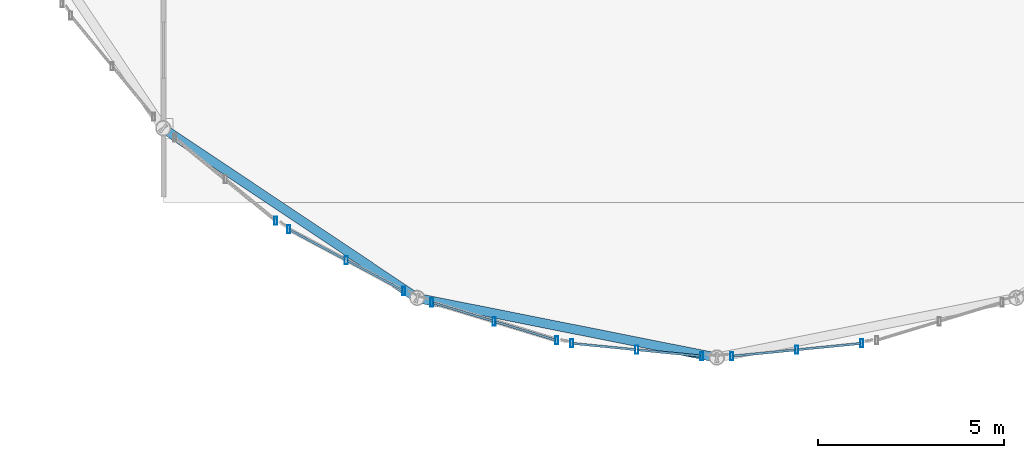
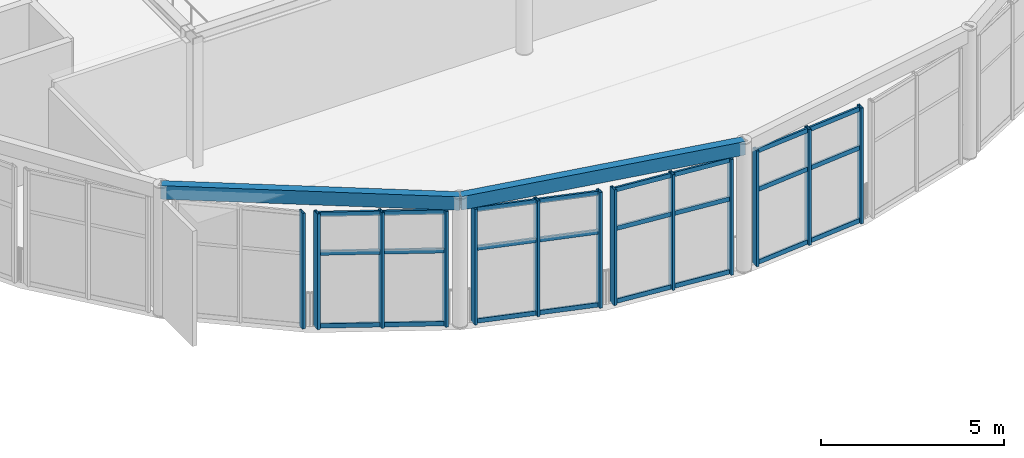
# One storey, part 17 of 105: 37 members, 2 beams, 5 elements without a shape of their own.
"""IFC4 building model written with IfcOpenShell, lengths in metres."""

from ifc_helpers import new_model, si_unit, direction, frame, origin, origin_2d, place, context, subcontext, project, spatial, hollow_rectangle, extrude, material, layer, layer_set, material_profile, profile_set, type_object, element, aggregate, save


model = new_model("IFC4")

# Units and contexts
model_context = context("Model", 3, precision=1e-05, world=origin(), true_north=direction((0.0, 1.0)))
body_context = subcontext(model_context, "Body", "Model", "MODEL_VIEW")
ifc_project = project(units=[si_unit("LENGTHUNIT", "METRE"), si_unit("AREAUNIT", "SQUARE_METRE"), si_unit("VOLUMEUNIT", "CUBIC_METRE"), si_unit("PLANEANGLEUNIT", "RADIAN"), si_unit("MASSUNIT", "GRAM", prefix="KILO")], contexts=[model_context])

# Site, building, storey
site_placement = place(None, origin())
site = spatial("IfcSite", under=ifc_project, at=site_placement, CompositionType="ELEMENT")
building_placement = place(site_placement, origin())
building = spatial("IfcBuilding", under=site, at=building_placement, Name="Marlcrest Central Station", CompositionType="ELEMENT")
storey_placement = place(building_placement, frame((0.0, 0.0, 15.0)))
storey = spatial("IfcBuildingStorey", under=building, at=storey_placement, Name="L03", CompositionType="ELEMENT", Elevation=15.0)

# Curtain wall, member
ifc_material_1 = material(Name="Anodised aluminium and hurricane laminated glass", Category="aluminium")
ifc_layer = layer(ifc_material_1, 0.219970703125, Name="CW-U1")
ifc_layer_set = layer_set([ifc_layer], Name="Anodised aluminium and hurricane laminated glass")
curtain_wall_type = type_object("IfcCurtainWallType", Name="CW-U1", PredefinedType="USERDEFINED", material=ifc_layer_set)
curtain_wall_1_placement = place(storey_placement, origin())
curtain_wall_1 = element("IfcCurtainWall", 1, at=curtain_wall_1_placement, inside=storey, type_object=curtain_wall_type, Name="cw-L03-0045", ObjectType="UNITISED_CURTAIN_WALL", PredefinedType="USERDEFINED")
ifc_material_2 = material(Name="Anodised aluminium 6063-T6", Category="aluminium")
ifc_material_profile_1 = material_profile(ifc_material_2, hollow_rectangle(XDim=0.080078125, YDim=0.219970703125, WallThickness=0.006103515625, at=origin_2d()), Name="AA-RHS 220x80x6")
ifc_profile_set_1 = profile_set([ifc_material_profile_1], Name="Anodised aluminium 6063-T6")
member_type_1 = type_object("IfcMemberType", Name="ML-01", PredefinedType="MULLION", material=ifc_profile_set_1)
member_1_placement = place(storey_placement, frame((96.173828125, 5.169677734375, -0.030029296875), z_axis=(0.0, 0.0, 1.0), x_axis=(1.0, 0.0, 0.0)))
member_1 = element("IfcMember", 2, at=member_1_placement, type_object=member_type_1, Name="cw-L03-0045-ml-0", PredefinedType="MULLION", context=body_context, shape_type="SweptSolid", body=[
    extrude(hollow_rectangle(XDim=0.080078125, YDim=0.219970703125, WallThickness=0.006103515625, at=origin_2d()), origin(), (0.0, 0.0, 1.0), 3.860107421875),
])
aggregate(curtain_wall_1, [member_1])

# Curtain wall, members
curtain_wall_2_placement = place(storey_placement, origin())
curtain_wall_2 = element("IfcCurtainWall", 3, at=curtain_wall_2_placement, inside=storey, type_object=curtain_wall_type, Name="cw-L03-0046", ObjectType="UNITISED_CURTAIN_WALL", PredefinedType="USERDEFINED")
member_2_placement = place(storey_placement, frame((99.607666015625, 3.289306640625, -0.030029296875), z_axis=(0.0, 0.0, 1.0), x_axis=(1.0, 0.0, 0.0)))
member_2 = element("IfcMember", 4, at=member_2_placement, type_object=member_type_1, Name="cw-L03-0046-ml-0", PredefinedType="MULLION", context=body_context, shape_type="SweptSolid", body=[
    extrude(hollow_rectangle(XDim=0.080078125, YDim=0.219970703125, WallThickness=0.006103515625, at=origin_2d()), origin(), (0.0, 0.0, 1.0), 3.860107421875),
])
member_3_placement = place(storey_placement, frame((98.06103515625, 4.11572265625, -0.030029296875), z_axis=(0.0, 0.0, 1.0), x_axis=(1.0, 0.0, 0.0)))
member_3 = element("IfcMember", 5, at=member_3_placement, type_object=member_type_1, Name="cw-L03-0046-ml-1", PredefinedType="MULLION", context=body_context, shape_type="SweptSolid", body=[
    extrude(hollow_rectangle(XDim=0.080078125, YDim=0.219970703125, WallThickness=0.006103515625, at=origin_2d()), origin(), (0.0, 0.0, 1.0), 3.860107421875),
])
member_4_placement = place(storey_placement, frame((96.514404296875, 4.94189453125, -0.030029296875), z_axis=(0.0, 0.0, 1.0), x_axis=(1.0, 0.0, 0.0)))
member_4 = element("IfcMember", 6, at=member_4_placement, type_object=member_type_1, Name="cw-L03-0046-ml-2", PredefinedType="MULLION", context=body_context, shape_type="SweptSolid", body=[
    extrude(hollow_rectangle(XDim=0.080078125, YDim=0.219970703125, WallThickness=0.006103515625, at=origin_2d()), origin(), (0.0, 0.0, 1.0), 3.860107421875),
])

curtain_wall_3_placement = place(storey_placement, origin())
curtain_wall_3 = element("IfcCurtainWall", 7, at=curtain_wall_3_placement, inside=storey, type_object=curtain_wall_type, Name="cw-L03-0047", ObjectType="UNITISED_CURTAIN_WALL", PredefinedType="USERDEFINED")
member_5_placement = place(storey_placement, frame((103.7060546875, 1.963623046875, -0.030029296875), z_axis=(0.0, 0.0, 1.0), x_axis=(1.0, 0.0, 0.0)))
member_5 = element("IfcMember", 8, at=member_5_placement, type_object=member_type_1, Name="cw-L03-0047-ml-0", PredefinedType="MULLION", context=body_context, shape_type="SweptSolid", body=[
    extrude(hollow_rectangle(XDim=0.080078125, YDim=0.219970703125, WallThickness=0.006103515625, at=origin_2d()), origin(), (0.0, 0.0, 1.0), 3.860107421875),
])
member_6_placement = place(storey_placement, frame((102.0283203125, 2.47265625, -0.030029296875), z_axis=(0.0, 0.0, 1.0), x_axis=(1.0, 0.0, 0.0)))
member_6 = element("IfcMember", 9, at=member_6_placement, type_object=member_type_1, Name="cw-L03-0047-ml-1", PredefinedType="MULLION", context=body_context, shape_type="SweptSolid", body=[
    extrude(hollow_rectangle(XDim=0.080078125, YDim=0.219970703125, WallThickness=0.006103515625, at=origin_2d()), origin(), (0.0, 0.0, 1.0), 3.860107421875),
])
member_7_placement = place(storey_placement, frame((100.3505859375, 2.981689453125, -0.030029296875), z_axis=(0.0, 0.0, 1.0), x_axis=(1.0, 0.0, 0.0)))
member_7 = element("IfcMember", 10, at=member_7_placement, type_object=member_type_1, Name="cw-L03-0047-ml-2", PredefinedType="MULLION", context=body_context, shape_type="SweptSolid", body=[
    extrude(hollow_rectangle(XDim=0.080078125, YDim=0.219970703125, WallThickness=0.006103515625, at=origin_2d()), origin(), (0.0, 0.0, 1.0), 3.860107421875),
])

curtain_wall_4_placement = place(storey_placement, origin())
curtain_wall_4 = element("IfcCurtainWall", 11, at=curtain_wall_4_placement, inside=storey, type_object=curtain_wall_type, Name="cw-L03-0048", ObjectType="UNITISED_CURTAIN_WALL", PredefinedType="USERDEFINED")
member_8_placement = place(storey_placement, frame((107.597900390625, 1.53955078125, -0.030029296875), z_axis=(0.0, 0.0, 1.0), x_axis=(1.0, 0.0, 0.0)))
member_8 = element("IfcMember", 12, at=member_8_placement, type_object=member_type_1, Name="cw-L03-0048-ml-0", PredefinedType="MULLION", context=body_context, shape_type="SweptSolid", body=[
    extrude(hollow_rectangle(XDim=0.080078125, YDim=0.219970703125, WallThickness=0.006103515625, at=origin_2d()), origin(), (0.0, 0.0, 1.0), 3.860107421875),
])
member_9_placement = place(storey_placement, frame((105.852783203125, 1.711669921875, -0.030029296875), z_axis=(0.0, 0.0, 1.0), x_axis=(1.0, 0.0, 0.0)))
member_9 = element("IfcMember", 13, at=member_9_placement, type_object=member_type_1, Name="cw-L03-0048-ml-1", PredefinedType="MULLION", context=body_context, shape_type="SweptSolid", body=[
    extrude(hollow_rectangle(XDim=0.080078125, YDim=0.219970703125, WallThickness=0.006103515625, at=origin_2d()), origin(), (0.0, 0.0, 1.0), 3.860107421875),
])
member_10_placement = place(storey_placement, frame((104.10791015625, 1.8837890625, -0.030029296875), z_axis=(0.0, 0.0, 1.0), x_axis=(1.0, 0.0, 0.0)))
member_10 = element("IfcMember", 14, at=member_10_placement, type_object=member_type_1, Name="cw-L03-0048-ml-2", PredefinedType="MULLION", context=body_context, shape_type="SweptSolid", body=[
    extrude(hollow_rectangle(XDim=0.080078125, YDim=0.219970703125, WallThickness=0.006103515625, at=origin_2d()), origin(), (0.0, 0.0, 1.0), 3.860107421875),
])

curtain_wall_5_placement = place(storey_placement, origin())
curtain_wall_5 = element("IfcCurtainWall", 15, at=curtain_wall_5_placement, inside=storey, type_object=curtain_wall_type, Name="cw-L03-0049", ObjectType="UNITISED_CURTAIN_WALL", PredefinedType="USERDEFINED")
member_11_placement = place(storey_placement, frame((111.89208984375, 1.8837890625, -0.030029296875), z_axis=(0.0, 0.0, 1.0), x_axis=(1.0, 0.0, 0.0)))
member_11 = element("IfcMember", 16, at=member_11_placement, type_object=member_type_1, Name="cw-L03-0049-ml-0", PredefinedType="MULLION", context=body_context, shape_type="SweptSolid", body=[
    extrude(hollow_rectangle(XDim=0.080078125, YDim=0.219970703125, WallThickness=0.006103515625, at=origin_2d()), origin(), (0.0, 0.0, 1.0), 3.860107421875),
])
member_12_placement = place(storey_placement, frame((110.147216796875, 1.711669921875, -0.030029296875), z_axis=(0.0, 0.0, 1.0), x_axis=(1.0, 0.0, 0.0)))
member_12 = element("IfcMember", 17, at=member_12_placement, type_object=member_type_1, Name="cw-L03-0049-ml-1", PredefinedType="MULLION", context=body_context, shape_type="SweptSolid", body=[
    extrude(hollow_rectangle(XDim=0.080078125, YDim=0.219970703125, WallThickness=0.006103515625, at=origin_2d()), origin(), (0.0, 0.0, 1.0), 3.860107421875),
])
member_13_placement = place(storey_placement, frame((108.402099609375, 1.53955078125, -0.030029296875), z_axis=(0.0, 0.0, 1.0), x_axis=(1.0, 0.0, 0.0)))
member_13 = element("IfcMember", 18, at=member_13_placement, type_object=member_type_1, Name="cw-L03-0049-ml-2", PredefinedType="MULLION", context=body_context, shape_type="SweptSolid", body=[
    extrude(hollow_rectangle(XDim=0.080078125, YDim=0.219970703125, WallThickness=0.006103515625, at=origin_2d()), origin(), (0.0, 0.0, 1.0), 3.860107421875),
])

# Beams
ifc_material_3 = material(Name="Steel S355", Category="steel")
ifc_material_profile_2 = material_profile(ifc_material_3, hollow_rectangle(XDim=0.25, YDim=0.449951171875, WallThickness=0.01611328125, at=origin_2d()), Name="RHS 450x250x16")
ifc_profile_set_2 = profile_set([ifc_material_profile_2], Name="Steel S355")
beam_type = type_object("IfcBeamType", Name="SP-02", PredefinedType="SPANDREL", material=ifc_profile_set_2)
beam_1_placement = place(storey_placement, frame((93.15087890625, 7.65087890625, 4.10009765625), z_axis=(0.831508991937, -0.55551129271, 0.0), x_axis=(0.55551129271, 0.831508991937, 0.0)))
element("IfcBeam", 19, at=beam_1_placement, inside=storey, type_object=beam_type, Name="bm-SP-02-L03-01407", PredefinedType="SPANDREL", context=body_context, shape_type="SweptSolid", body=[
    extrude(hollow_rectangle(XDim=0.25, YDim=0.449951171875, WallThickness=0.01611328125, at=origin_2d()), origin(), (0.0, 0.0, 1.0), 8.19384765625),
])
beam_2_placement = place(storey_placement, frame((99.964111328125, 3.09912109375, 4.10009765625), z_axis=(0.980769316421, -0.19517056122, 0.0), x_axis=(0.19517056122, 0.980769316421, 0.0)))
element("IfcBeam", 20, at=beam_2_placement, inside=storey, type_object=beam_type, Name="bm-SP-02-L03-01408", PredefinedType="SPANDREL", context=body_context, shape_type="SweptSolid", body=[
    extrude(hollow_rectangle(XDim=0.25, YDim=0.449951171875, WallThickness=0.01611328125, at=origin_2d()), origin(), (0.0, 0.0, 1.0), 8.193359375),
])

# Member
ifc_material_profile_3 = material_profile(ifc_material_2, hollow_rectangle(XDim=0.06005859375, YDim=0.14990234375, WallThickness=0.00390625, at=origin_2d()), Name="AA-RHS 150x60x4")
ifc_profile_set_3 = profile_set([ifc_material_profile_3], Name="Anodised aluminium 6063-T6")
member_type_2 = type_object("IfcMemberType", Name="TR-01", PredefinedType="USERDEFINED", material=ifc_profile_set_3)
member_14_placement = place(storey_placement, frame((99.57421875, 3.307373046875, 0.0400390625), z_axis=(-0.882022398889, 0.471207478568, 0.0), x_axis=(-0.471207478568, -0.882022398889, 0.0)))
member_14 = element("IfcMember", 21, at=member_14_placement, type_object=member_type_2, Name="cw-L03-0046-tr-0-sill", ObjectType="TRANSOM", PredefinedType="USERDEFINED", context=body_context, shape_type="SweptSolid", body=[
    extrude(hollow_rectangle(XDim=0.06005859375, YDim=0.14990234375, WallThickness=0.00390625, at=origin_2d()), origin(), (0.0, 0.0, 1.0), 1.677734375),
])

member_15_placement = place(storey_placement, frame((99.57421875, 3.307373046875, 2.469970703125), z_axis=(-0.882022398889, 0.471207478568, 0.0), x_axis=(-0.471207478568, -0.882022398889, 0.0)))
member_15 = element("IfcMember", 22, at=member_15_placement, type_object=member_type_2, Name="cw-L03-0046-tr-0-mid", ObjectType="TRANSOM", PredefinedType="USERDEFINED", context=body_context, shape_type="SweptSolid", body=[
    extrude(hollow_rectangle(XDim=0.06005859375, YDim=0.14990234375, WallThickness=0.00390625, at=origin_2d()), origin(), (0.0, 0.0, 1.0), 1.677734375),
])

member_16_placement = place(storey_placement, frame((99.57421875, 3.307373046875, 3.760009765625), z_axis=(-0.882022398889, 0.471207478568, 0.0), x_axis=(-0.471207478568, -0.882022398889, 0.0)))
member_16 = element("IfcMember", 23, at=member_16_placement, type_object=member_type_2, Name="cw-L03-0046-tr-0-head", ObjectType="TRANSOM", PredefinedType="USERDEFINED", context=body_context, shape_type="SweptSolid", body=[
    extrude(hollow_rectangle(XDim=0.06005859375, YDim=0.14990234375, WallThickness=0.00390625, at=origin_2d()), origin(), (0.0, 0.0, 1.0), 1.677734375),
])

member_17_placement = place(storey_placement, frame((98.027587890625, 4.133544921875, 0.0400390625), z_axis=(-0.881990080976, 0.47126796736, 0.0), x_axis=(-0.47126796736, -0.881990080976, 0.0)))
member_17 = element("IfcMember", 24, at=member_17_placement, type_object=member_type_2, Name="cw-L03-0046-tr-1-sill", ObjectType="TRANSOM", PredefinedType="USERDEFINED", context=body_context, shape_type="SweptSolid", body=[
    extrude(hollow_rectangle(XDim=0.06005859375, YDim=0.14990234375, WallThickness=0.00390625, at=origin_2d()), origin(), (0.0, 0.0, 1.0), 1.677490234375),
])

member_18_placement = place(storey_placement, frame((98.027587890625, 4.133544921875, 2.469970703125), z_axis=(-0.881990080976, 0.47126796736, 0.0), x_axis=(-0.47126796736, -0.881990080976, 0.0)))
member_18 = element("IfcMember", 25, at=member_18_placement, type_object=member_type_2, Name="cw-L03-0046-tr-1-mid", ObjectType="TRANSOM", PredefinedType="USERDEFINED", context=body_context, shape_type="SweptSolid", body=[
    extrude(hollow_rectangle(XDim=0.06005859375, YDim=0.14990234375, WallThickness=0.00390625, at=origin_2d()), origin(), (0.0, 0.0, 1.0), 1.677490234375),
])

member_19_placement = place(storey_placement, frame((98.027587890625, 4.133544921875, 3.760009765625), z_axis=(-0.881990080976, 0.47126796736, 0.0), x_axis=(-0.47126796736, -0.881990080976, 0.0)))
member_19 = element("IfcMember", 26, at=member_19_placement, type_object=member_type_2, Name="cw-L03-0046-tr-1-head", ObjectType="TRANSOM", PredefinedType="USERDEFINED", context=body_context, shape_type="SweptSolid", body=[
    extrude(hollow_rectangle(XDim=0.06005859375, YDim=0.14990234375, WallThickness=0.00390625, at=origin_2d()), origin(), (0.0, 0.0, 1.0), 1.677490234375),
])

aggregate(curtain_wall_2, [member_2, member_3, member_4, member_14, member_15, member_16, member_17, member_18, member_19])

member_20_placement = place(storey_placement, frame((103.669677734375, 1.974853515625, 0.0400390625), z_axis=(-0.95694846695, 0.29025787087, 0.0), x_axis=(-0.29025787087, -0.95694846695, 0.0)))
member_20 = element("IfcMember", 27, at=member_20_placement, type_object=member_type_2, Name="cw-L03-0047-tr-0-sill", ObjectType="TRANSOM", PredefinedType="USERDEFINED", context=body_context, shape_type="SweptSolid", body=[
    extrude(hollow_rectangle(XDim=0.06005859375, YDim=0.14990234375, WallThickness=0.00390625, at=origin_2d()), origin(), (0.0, 0.0, 1.0), 1.67724609375),
])

member_21_placement = place(storey_placement, frame((103.669677734375, 1.974853515625, 2.469970703125), z_axis=(-0.95694846695, 0.29025787087, 0.0), x_axis=(-0.29025787087, -0.95694846695, 0.0)))
member_21 = element("IfcMember", 28, at=member_21_placement, type_object=member_type_2, Name="cw-L03-0047-tr-0-mid", ObjectType="TRANSOM", PredefinedType="USERDEFINED", context=body_context, shape_type="SweptSolid", body=[
    extrude(hollow_rectangle(XDim=0.06005859375, YDim=0.14990234375, WallThickness=0.00390625, at=origin_2d()), origin(), (0.0, 0.0, 1.0), 1.67724609375),
])

member_22_placement = place(storey_placement, frame((103.669677734375, 1.974853515625, 3.760009765625), z_axis=(-0.95694846695, 0.29025787087, 0.0), x_axis=(-0.29025787087, -0.95694846695, 0.0)))
member_22 = element("IfcMember", 29, at=member_22_placement, type_object=member_type_2, Name="cw-L03-0047-tr-0-head", ObjectType="TRANSOM", PredefinedType="USERDEFINED", context=body_context, shape_type="SweptSolid", body=[
    extrude(hollow_rectangle(XDim=0.06005859375, YDim=0.14990234375, WallThickness=0.00390625, at=origin_2d()), origin(), (0.0, 0.0, 1.0), 1.67724609375),
])

member_23_placement = place(storey_placement, frame((101.991943359375, 2.48388671875, 0.0400390625), z_axis=(-0.95694846695, 0.29025787087, 0.0), x_axis=(-0.29025787087, -0.95694846695, 0.0)))
member_23 = element("IfcMember", 30, at=member_23_placement, type_object=member_type_2, Name="cw-L03-0047-tr-1-sill", ObjectType="TRANSOM", PredefinedType="USERDEFINED", context=body_context, shape_type="SweptSolid", body=[
    extrude(hollow_rectangle(XDim=0.06005859375, YDim=0.14990234375, WallThickness=0.00390625, at=origin_2d()), origin(), (0.0, 0.0, 1.0), 1.67724609375),
])

member_24_placement = place(storey_placement, frame((101.991943359375, 2.48388671875, 2.469970703125), z_axis=(-0.95694846695, 0.29025787087, 0.0), x_axis=(-0.29025787087, -0.95694846695, 0.0)))
member_24 = element("IfcMember", 31, at=member_24_placement, type_object=member_type_2, Name="cw-L03-0047-tr-1-mid", ObjectType="TRANSOM", PredefinedType="USERDEFINED", context=body_context, shape_type="SweptSolid", body=[
    extrude(hollow_rectangle(XDim=0.06005859375, YDim=0.14990234375, WallThickness=0.00390625, at=origin_2d()), origin(), (0.0, 0.0, 1.0), 1.67724609375),
])

member_25_placement = place(storey_placement, frame((101.991943359375, 2.48388671875, 3.760009765625), z_axis=(-0.95694846695, 0.29025787087, 0.0), x_axis=(-0.29025787087, -0.95694846695, 0.0)))
member_25 = element("IfcMember", 32, at=member_25_placement, type_object=member_type_2, Name="cw-L03-0047-tr-1-head", ObjectType="TRANSOM", PredefinedType="USERDEFINED", context=body_context, shape_type="SweptSolid", body=[
    extrude(hollow_rectangle(XDim=0.06005859375, YDim=0.14990234375, WallThickness=0.00390625, at=origin_2d()), origin(), (0.0, 0.0, 1.0), 1.67724609375),
])

aggregate(curtain_wall_3, [member_5, member_6, member_7, member_20, member_21, member_22, member_23, member_24, member_25])

member_26_placement = place(storey_placement, frame((107.56005859375, 1.54345703125, 0.0400390625), z_axis=(-0.99517740164, 0.098091484163, 0.0), x_axis=(-0.098091484163, -0.99517740164, 0.0)))
member_26 = element("IfcMember", 33, at=member_26_placement, type_object=member_type_2, Name="cw-L03-0048-tr-0-sill", ObjectType="TRANSOM", PredefinedType="USERDEFINED", context=body_context, shape_type="SweptSolid", body=[
    extrude(hollow_rectangle(XDim=0.06005859375, YDim=0.14990234375, WallThickness=0.00390625, at=origin_2d()), origin(), (0.0, 0.0, 1.0), 1.677490234375),
])

member_27_placement = place(storey_placement, frame((107.56005859375, 1.54345703125, 2.469970703125), z_axis=(-0.99517740164, 0.098091484163, 0.0), x_axis=(-0.098091484163, -0.99517740164, 0.0)))
member_27 = element("IfcMember", 34, at=member_27_placement, type_object=member_type_2, Name="cw-L03-0048-tr-0-mid", ObjectType="TRANSOM", PredefinedType="USERDEFINED", context=body_context, shape_type="SweptSolid", body=[
    extrude(hollow_rectangle(XDim=0.06005859375, YDim=0.14990234375, WallThickness=0.00390625, at=origin_2d()), origin(), (0.0, 0.0, 1.0), 1.677490234375),
])

member_28_placement = place(storey_placement, frame((107.56005859375, 1.54345703125, 3.760009765625), z_axis=(-0.99517740164, 0.098091484163, 0.0), x_axis=(-0.098091484163, -0.99517740164, 0.0)))
member_28 = element("IfcMember", 35, at=member_28_placement, type_object=member_type_2, Name="cw-L03-0048-tr-0-head", ObjectType="TRANSOM", PredefinedType="USERDEFINED", context=body_context, shape_type="SweptSolid", body=[
    extrude(hollow_rectangle(XDim=0.06005859375, YDim=0.14990234375, WallThickness=0.00390625, at=origin_2d()), origin(), (0.0, 0.0, 1.0), 1.677490234375),
])

member_29_placement = place(storey_placement, frame((105.815185546875, 1.715576171875, 0.0400390625), z_axis=(-0.99517740164, 0.098091484163, 0.0), x_axis=(-0.098091484163, -0.99517740164, 0.0)))
member_29 = element("IfcMember", 36, at=member_29_placement, type_object=member_type_2, Name="cw-L03-0048-tr-1-sill", ObjectType="TRANSOM", PredefinedType="USERDEFINED", context=body_context, shape_type="SweptSolid", body=[
    extrude(hollow_rectangle(XDim=0.06005859375, YDim=0.14990234375, WallThickness=0.00390625, at=origin_2d()), origin(), (0.0, 0.0, 1.0), 1.677490234375),
])

member_30_placement = place(storey_placement, frame((105.815185546875, 1.715576171875, 2.469970703125), z_axis=(-0.99517740164, 0.098091484163, 0.0), x_axis=(-0.098091484163, -0.99517740164, 0.0)))
member_30 = element("IfcMember", 37, at=member_30_placement, type_object=member_type_2, Name="cw-L03-0048-tr-1-mid", ObjectType="TRANSOM", PredefinedType="USERDEFINED", context=body_context, shape_type="SweptSolid", body=[
    extrude(hollow_rectangle(XDim=0.06005859375, YDim=0.14990234375, WallThickness=0.00390625, at=origin_2d()), origin(), (0.0, 0.0, 1.0), 1.677490234375),
])

member_31_placement = place(storey_placement, frame((105.815185546875, 1.715576171875, 3.760009765625), z_axis=(-0.99517740164, 0.098091484163, 0.0), x_axis=(-0.098091484163, -0.99517740164, 0.0)))
member_31 = element("IfcMember", 38, at=member_31_placement, type_object=member_type_2, Name="cw-L03-0048-tr-1-head", ObjectType="TRANSOM", PredefinedType="USERDEFINED", context=body_context, shape_type="SweptSolid", body=[
    extrude(hollow_rectangle(XDim=0.06005859375, YDim=0.14990234375, WallThickness=0.00390625, at=origin_2d()), origin(), (0.0, 0.0, 1.0), 1.677490234375),
])

aggregate(curtain_wall_4, [member_8, member_9, member_10, member_26, member_27, member_28, member_29, member_30, member_31])

member_32_placement = place(storey_placement, frame((111.854248046875, 1.880126953125, 0.0400390625), z_axis=(-0.99517740164, -0.098091484163, 0.0), x_axis=(0.098091484163, -0.99517740164, 0.0)))
member_32 = element("IfcMember", 39, at=member_32_placement, type_object=member_type_2, Name="cw-L03-0049-tr-0-sill", ObjectType="TRANSOM", PredefinedType="USERDEFINED", context=body_context, shape_type="SweptSolid", body=[
    extrude(hollow_rectangle(XDim=0.06005859375, YDim=0.14990234375, WallThickness=0.00390625, at=origin_2d()), origin(), (0.0, 0.0, 1.0), 1.677490234375),
])

member_33_placement = place(storey_placement, frame((111.854248046875, 1.880126953125, 2.469970703125), z_axis=(-0.99517740164, -0.098091484163, 0.0), x_axis=(0.098091484163, -0.99517740164, 0.0)))
member_33 = element("IfcMember", 40, at=member_33_placement, type_object=member_type_2, Name="cw-L03-0049-tr-0-mid", ObjectType="TRANSOM", PredefinedType="USERDEFINED", context=body_context, shape_type="SweptSolid", body=[
    extrude(hollow_rectangle(XDim=0.06005859375, YDim=0.14990234375, WallThickness=0.00390625, at=origin_2d()), origin(), (0.0, 0.0, 1.0), 1.677490234375),
])

member_34_placement = place(storey_placement, frame((111.854248046875, 1.880126953125, 3.760009765625), z_axis=(-0.99517740164, -0.098091484163, 0.0), x_axis=(0.098091484163, -0.99517740164, 0.0)))
member_34 = element("IfcMember", 41, at=member_34_placement, type_object=member_type_2, Name="cw-L03-0049-tr-0-head", ObjectType="TRANSOM", PredefinedType="USERDEFINED", context=body_context, shape_type="SweptSolid", body=[
    extrude(hollow_rectangle(XDim=0.06005859375, YDim=0.14990234375, WallThickness=0.00390625, at=origin_2d()), origin(), (0.0, 0.0, 1.0), 1.677490234375),
])

member_35_placement = place(storey_placement, frame((110.109375, 1.7080078125, 0.0400390625), z_axis=(-0.99517740164, -0.098091484163, 0.0), x_axis=(0.098091484163, -0.99517740164, 0.0)))
member_35 = element("IfcMember", 42, at=member_35_placement, type_object=member_type_2, Name="cw-L03-0049-tr-1-sill", ObjectType="TRANSOM", PredefinedType="USERDEFINED", context=body_context, shape_type="SweptSolid", body=[
    extrude(hollow_rectangle(XDim=0.06005859375, YDim=0.14990234375, WallThickness=0.00390625, at=origin_2d()), origin(), (0.0, 0.0, 1.0), 1.677490234375),
])

member_36_placement = place(storey_placement, frame((110.109375, 1.7080078125, 2.469970703125), z_axis=(-0.99517740164, -0.098091484163, 0.0), x_axis=(0.098091484163, -0.99517740164, 0.0)))
member_36 = element("IfcMember", 43, at=member_36_placement, type_object=member_type_2, Name="cw-L03-0049-tr-1-mid", ObjectType="TRANSOM", PredefinedType="USERDEFINED", context=body_context, shape_type="SweptSolid", body=[
    extrude(hollow_rectangle(XDim=0.06005859375, YDim=0.14990234375, WallThickness=0.00390625, at=origin_2d()), origin(), (0.0, 0.0, 1.0), 1.677490234375),
])

member_37_placement = place(storey_placement, frame((110.109375, 1.7080078125, 3.760009765625), z_axis=(-0.99517740164, -0.098091484163, 0.0), x_axis=(0.098091484163, -0.99517740164, 0.0)))
member_37 = element("IfcMember", 44, at=member_37_placement, type_object=member_type_2, Name="cw-L03-0049-tr-1-head", ObjectType="TRANSOM", PredefinedType="USERDEFINED", context=body_context, shape_type="SweptSolid", body=[
    extrude(hollow_rectangle(XDim=0.06005859375, YDim=0.14990234375, WallThickness=0.00390625, at=origin_2d()), origin(), (0.0, 0.0, 1.0), 1.677490234375),
])

aggregate(curtain_wall_5, [member_11, member_12, member_13, member_32, member_33, member_34, member_35, member_36, member_37])

save(model, "model.ifc")
